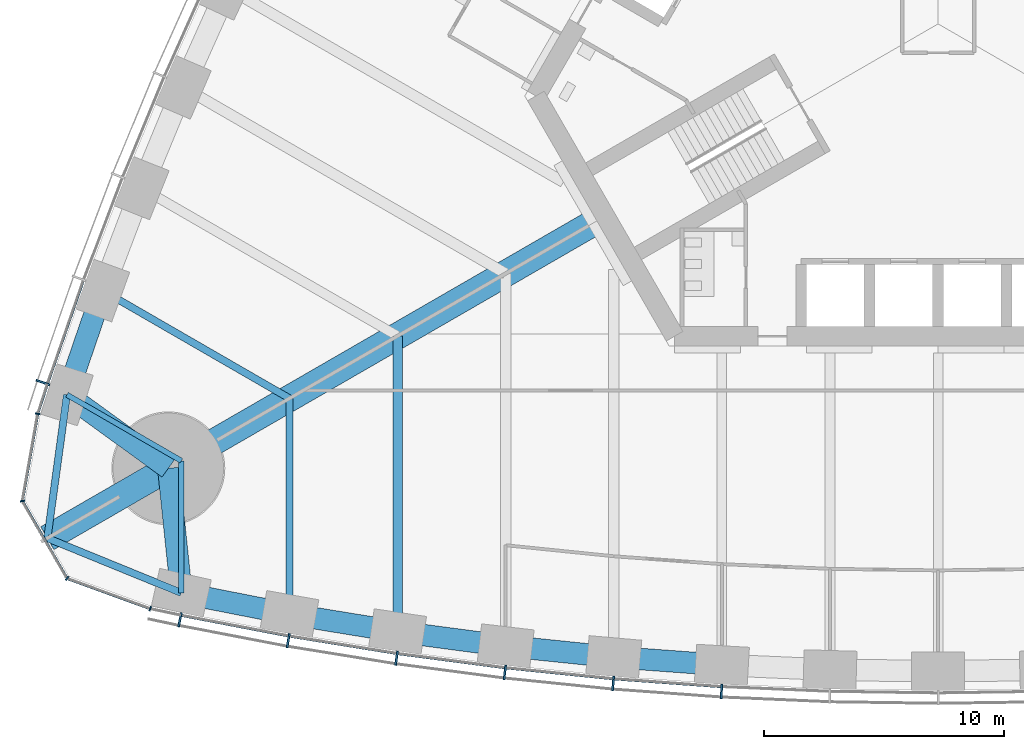
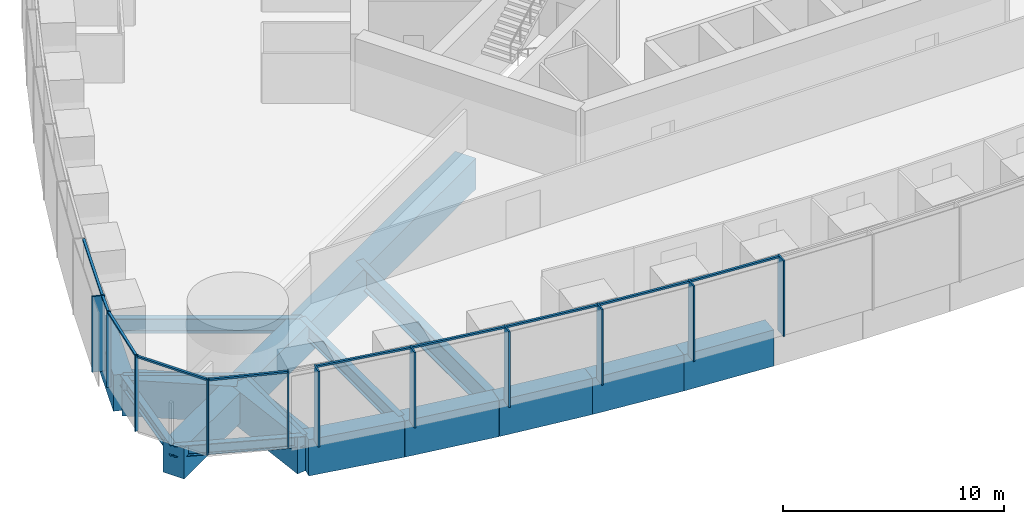
# One storey, part 2 of 18: 21 members, 17 beams, 3 elements without a shape of their own.
"""IFC4 building model written with IfcOpenShell, lengths in metres."""

from ifc_helpers import new_model, si_unit, direction, frame, origin, origin_2d, place, context, subcontext, project, spatial, rectangle, i_section, extrude, material, material_profile, profile_set, type_object, element, aggregate, save


model = new_model("IFC4")

# Units and contexts
model_context = context("Model", 3, precision=1e-05, world=origin(), true_north=direction((0.0, 1.0)))
body_context = subcontext(model_context, "Body", "Model", "MODEL_VIEW")
ifc_project = project(units=[si_unit("LENGTHUNIT", "METRE"), si_unit("AREAUNIT", "SQUARE_METRE"), si_unit("VOLUMEUNIT", "CUBIC_METRE"), si_unit("PLANEANGLEUNIT", "RADIAN"), si_unit("MASSUNIT", "GRAM", prefix="KILO")], contexts=[model_context])

# Site, building, storey
site_placement = place(None, origin())
site = spatial("IfcSite", under=ifc_project, at=site_placement, CompositionType="ELEMENT")
building_placement = place(site_placement, origin())
building = spatial("IfcBuilding", under=site, at=building_placement, Name="Trefoil Bronze Tower", CompositionType="ELEMENT")
storey_placement = place(building_placement, frame((0.0, 0.0, 62.699951171875)))
storey = spatial("IfcBuildingStorey", under=building, at=storey_placement, Name="L14", CompositionType="ELEMENT", Elevation=62.699951171875)

# Curtain wall, members
ifc_material_1 = material(Name="Tinted solar-control glass", Category="glass")
curtain_wall_type_1 = type_object("IfcCurtainWallType", Name="Bronze office curtain wall", PredefinedType="USERDEFINED", material=ifc_material_1)
curtain_wall_1_placement = place(storey_placement, origin())
curtain_wall_1 = element("IfcCurtainWall", 1, at=curtain_wall_1_placement, inside=storey, type_object=curtain_wall_type_1, Name="CW-A L14 F1", ObjectType="CURTAIN WALL", PredefinedType="USERDEFINED")
ifc_material_2 = material(Name="Bronze-finish aluminium", Category="aluminium")
ifc_material_profile_1 = material_profile(ifc_material_2, rectangle(XDim=0.60009765625, YDim=0.080078125, at=origin_2d()), Name="CW-A mullion")
ifc_profile_set_1 = profile_set([ifc_material_profile_1], Name="Bronze-finish aluminium")
member_type_1 = type_object("IfcMemberType", Name="Bronze office curtain wall mullion", PredefinedType="MULLION", material=ifc_profile_set_1)
member_1_placement = place(storey_placement, frame((-31.559326171875, -24.81005859375, 0.0), z_axis=(0.0, 0.0, 1.0), x_axis=(0.197910006829, 0.98022019424, 0.0)))
member_1 = element("IfcMember", 2, at=member_1_placement, type_object=member_type_1, Name="CW-A L14 F1 mullion 2", PredefinedType="MULLION", context=body_context, shape_type="SweptSolid", body=[
    extrude(rectangle(XDim=0.60009765625, YDim=0.080078125, at=origin_2d()), origin(), (0.0, 0.0, 1.0), 4.179931640625),
])
member_2_placement = place(storey_placement, frame((-27.05224609375, -25.67578125, 0.0), z_axis=(0.0, 0.0, 1.0), x_axis=(0.174131146426, 0.984722470468, 0.0)))
member_2 = element("IfcMember", 3, at=member_2_placement, type_object=member_type_1, Name="CW-A L14 F1 mullion 3", PredefinedType="MULLION", context=body_context, shape_type="SweptSolid", body=[
    extrude(rectangle(XDim=0.60009765625, YDim=0.080078125, at=origin_2d()), origin(), (0.0, 0.0, 1.0), 4.179931640625),
])
member_3_placement = place(storey_placement, frame((-22.54345703125, -26.40478515625, 0.0), z_axis=(0.0, 0.0, 1.0), x_axis=(0.145108990094, 0.989415676546, 0.0)))
member_3 = element("IfcMember", 4, at=member_3_placement, type_object=member_type_1, Name="CW-A L14 F1 mullion 4", PredefinedType="MULLION", context=body_context, shape_type="SweptSolid", body=[
    extrude(rectangle(XDim=0.60009765625, YDim=0.080078125, at=origin_2d()), origin(), (0.0, 0.0, 1.0), 4.179931640625),
])
member_4_placement = place(storey_placement, frame((-18.034912109375, -26.99853515625, 0.0), z_axis=(0.0, 0.0, 1.0), x_axis=(0.116086999973, 0.993239048989, 0.0)))
member_4 = element("IfcMember", 5, at=member_4_placement, type_object=member_type_1, Name="CW-A L14 F1 mullion 5", PredefinedType="MULLION", context=body_context, shape_type="SweptSolid", body=[
    extrude(rectangle(XDim=0.60009765625, YDim=0.080078125, at=origin_2d()), origin(), (0.0, 0.0, 1.0), 4.179931640625),
])
member_5_placement = place(storey_placement, frame((-13.526123046875, -27.458984375, 0.0), z_axis=(0.0, 0.0, 1.0), x_axis=(0.087065139456, 0.996202620701, 0.0)))
member_5 = element("IfcMember", 6, at=member_5_placement, type_object=member_type_1, Name="CW-A L14 F1 mullion 6", PredefinedType="MULLION", context=body_context, shape_type="SweptSolid", body=[
    extrude(rectangle(XDim=0.60009765625, YDim=0.080078125, at=origin_2d()), origin(), (0.0, 0.0, 1.0), 4.179931640625),
])
member_6_placement = place(storey_placement, frame((-9.017333984375, -27.786865234375, 0.0), z_axis=(0.0, 0.0, 1.0), x_axis=(0.058043374207, 0.998314062162, 0.0)))
member_6 = element("IfcMember", 7, at=member_6_placement, type_object=member_type_1, Name="CW-A L14 F1 mullion 7", PredefinedType="MULLION", context=body_context, shape_type="SweptSolid", body=[
    extrude(rectangle(XDim=0.60009765625, YDim=0.080078125, at=origin_2d()), origin(), (0.0, 0.0, 1.0), 4.179931640625),
])

# Curtain wall, member
curtain_wall_2_placement = place(storey_placement, origin())
curtain_wall_2 = element("IfcCurtainWall", 8, at=curtain_wall_2_placement, inside=storey, type_object=curtain_wall_type_1, Name="CW-A L14 F3", ObjectType="CURTAIN WALL", PredefinedType="USERDEFINED")
member_7_placement = place(storey_placement, frame((-37.265869140625, -14.92626953125, 0.0), z_axis=(0.0, 0.0, 1.0), x_axis=(0.947850592929, -0.318715003543, 0.0)))
member_7 = element("IfcMember", 9, at=member_7_placement, type_object=member_type_1, Name="CW-A L14 F3 mullion 16", PredefinedType="MULLION", context=body_context, shape_type="SweptSolid", body=[
    extrude(rectangle(XDim=0.60009765625, YDim=0.080078125, at=origin_2d()), origin(), (0.0, 0.0, 1.0), 4.179931640625),
])

# Member
ifc_material_3 = material(Name="Bronze-finish aluminium", Category="aluminium")
ifc_material_profile_2 = material_profile(ifc_material_3, rectangle(XDim=0.1201171875, YDim=0.10009765625, at=origin_2d()), Name="CW-A transom")
ifc_profile_set_2 = profile_set([ifc_material_profile_2], Name="Bronze-finish aluminium")
member_type_2 = type_object("IfcMemberType", Name="Bronze office curtain wall transom", PredefinedType="USERDEFINED", material=ifc_profile_set_2)
member_8_placement = place(storey_placement, frame((-31.4794921875, -24.621826171875, 4.130126953125), z_axis=(0.982053603997, -0.188602011855, 0.0), x_axis=(0.188602011855, 0.982053603997, 0.0)))
member_8 = element("IfcMember", 10, at=member_8_placement, type_object=member_type_2, Name="CW-A L14 F1 transom 2", ObjectType="TRANSOM", PredefinedType="USERDEFINED", context=body_context, shape_type="SweptSolid", body=[
    extrude(rectangle(XDim=0.1201171875, YDim=0.10009765625, at=origin_2d()), origin(), (0.0, 0.0, 1.0), 4.502197265625),
])

member_9_placement = place(storey_placement, frame((-26.9765625, -25.4853515625, 4.130126953125), z_axis=(0.987179401487, -0.159614627398, 0.0), x_axis=(0.159614627398, 0.987179401487, 0.0)))
member_9 = element("IfcMember", 11, at=member_9_placement, type_object=member_type_2, Name="CW-A L14 F1 transom 3", ObjectType="TRANSOM", PredefinedType="USERDEFINED", context=body_context, shape_type="SweptSolid", body=[
    extrude(rectangle(XDim=0.1201171875, YDim=0.10009765625, at=origin_2d()), origin(), (0.0, 0.0, 1.0), 4.478515625),
])

member_10_placement = place(storey_placement, frame((-22.473388671875, -26.212158203125, 4.130126953125), z_axis=(0.991436581643, -0.13058906761, 0.0), x_axis=(0.13058906761, 0.991436581643, 0.0)))
member_10 = element("IfcMember", 12, at=member_10_placement, type_object=member_type_2, Name="CW-A L14 F1 transom 4", ObjectType="TRANSOM", PredefinedType="USERDEFINED", context=body_context, shape_type="SweptSolid", body=[
    extrude(rectangle(XDim=0.1201171875, YDim=0.10009765625, at=origin_2d()), origin(), (0.0, 0.0, 1.0), 4.458740234375),
])

member_11_placement = place(storey_placement, frame((-17.970458984375, -26.80419921875, 4.130126953125), z_axis=(0.994831650915, -0.101538102888, 0.0), x_axis=(0.101538102888, 0.994831650915, 0.0)))
member_11 = element("IfcMember", 13, at=member_11_placement, type_object=member_type_2, Name="CW-A L14 F1 transom 5", ObjectType="TRANSOM", PredefinedType="USERDEFINED", context=body_context, shape_type="SweptSolid", body=[
    extrude(rectangle(XDim=0.1201171875, YDim=0.10009765625, at=origin_2d()), origin(), (0.0, 0.0, 1.0), 4.443359375),
])

member_12_placement = place(storey_placement, frame((-13.46728515625, -27.2626953125, 4.130126953125), z_axis=(0.997364729945, -0.07255064067, 0.0), x_axis=(0.07255064067, 0.997364729945, 0.0)))
member_12 = element("IfcMember", 14, at=member_12_placement, type_object=member_type_2, Name="CW-A L14 F1 transom 6", ObjectType="TRANSOM", PredefinedType="USERDEFINED", context=body_context, shape_type="SweptSolid", body=[
    extrude(rectangle(XDim=0.1201171875, YDim=0.10009765625, at=origin_2d()), origin(), (0.0, 0.0, 1.0), 4.431884765625),
])

aggregate(curtain_wall_1, [member_1, member_2, member_3, member_4, member_5, member_6, member_8, member_9, member_10, member_11, member_12])

member_13_placement = place(storey_placement, frame((-35.587646484375, -10.697509765625, 4.130126953125), z_axis=(-0.327689728493, -0.944785394595, 0.0), x_axis=(0.944785394595, -0.327689728493, 0.0)))
member_13 = element("IfcMember", 15, at=member_13_placement, type_object=member_type_2, Name="CW-A L14 F3 transom 15", ObjectType="TRANSOM", PredefinedType="USERDEFINED", context=body_context, shape_type="SweptSolid", body=[
    extrude(rectangle(XDim=0.1201171875, YDim=0.10009765625, at=origin_2d()), origin(), (0.0, 0.0, 1.0), 4.502197265625),
])

member_14_placement = place(storey_placement, frame((-37.089111328125, -15.02880859375, 4.130126953125), z_axis=(-0.309624219148, -0.950859002648, 0.0), x_axis=(0.950859002648, -0.309624219148, 0.0)))
member_14 = element("IfcMember", 16, at=member_14_placement, type_object=member_type_2, Name="CW-A L14 F3 transom 16", ObjectType="TRANSOM", PredefinedType="USERDEFINED", context=body_context, shape_type="SweptSolid", body=[
    extrude(rectangle(XDim=0.1201171875, YDim=0.10009765625, at=origin_2d()), origin(), (0.0, 0.0, 1.0), 1.21044921875),
])

aggregate(curtain_wall_2, [member_7, member_13, member_14])

# Curtain wall, members
ifc_material_4 = material(Name="Tinted solar-control glass", Category="glass")
curtain_wall_type_2 = type_object("IfcCurtainWallType", Name="Bronze rounded corner curtain wall", PredefinedType="USERDEFINED", material=ifc_material_4)
curtain_wall_3_placement = place(storey_placement, origin())
curtain_wall_3 = element("IfcCurtainWall", 17, at=curtain_wall_3_placement, inside=storey, type_object=curtain_wall_type_2, Name="CW-B L14 K3", ObjectType="CURTAIN WALL", PredefinedType="USERDEFINED")
ifc_material_5 = material(Name="Bronze-finish aluminium", Category="aluminium")
ifc_material_profile_3 = material_profile(ifc_material_5, rectangle(XDim=0.199951171875, YDim=0.06005859375, at=origin_2d()), Name="CW-B mullion")
ifc_profile_set_3 = profile_set([ifc_material_profile_3], Name="Bronze-finish aluminium")
member_type_3 = type_object("IfcMemberType", Name="Bronze rounded corner curtain wall mullion", PredefinedType="MULLION", material=ifc_profile_set_3)
member_15_placement = place(storey_placement, frame((-37.479736328125, -16.2314453125, 0.0), z_axis=(0.0, 0.0, 1.0), x_axis=(0.984807753012, -0.173648177667, 0.0)))
member_15 = element("IfcMember", 18, at=member_15_placement, type_object=member_type_3, Name="CW-B L14 K3 mullion 1", PredefinedType="MULLION", context=body_context, shape_type="SweptSolid", body=[
    extrude(rectangle(XDim=0.199951171875, YDim=0.06005859375, at=origin_2d()), origin(), (0.0, 0.0, 1.0), 4.179931640625),
])
member_16_placement = place(storey_placement, frame((-38.11328125, -19.85888671875, 0.0), z_axis=(0.0, 0.0, 1.0), x_axis=(0.984807753012, 0.173648177667, 0.0)))
member_16 = element("IfcMember", 19, at=member_16_placement, type_object=member_type_3, Name="CW-B L14 K3 mullion 2", PredefinedType="MULLION", context=body_context, shape_type="SweptSolid", body=[
    extrude(rectangle(XDim=0.199951171875, YDim=0.06005859375, at=origin_2d()), origin(), (0.0, 0.0, 1.0), 4.179931640625),
])
member_17_placement = place(storey_placement, frame((-36.2548828125, -23.07763671875, 0.0), z_axis=(0.0, 0.0, 1.0), x_axis=(0.642787609687, 0.766044443119, 0.0)))
member_17 = element("IfcMember", 20, at=member_17_placement, type_object=member_type_3, Name="CW-B L14 K3 mullion 3", PredefinedType="MULLION", context=body_context, shape_type="SweptSolid", body=[
    extrude(rectangle(XDim=0.199951171875, YDim=0.06005859375, at=origin_2d()), origin(), (0.0, 0.0, 1.0), 4.179931640625),
])
member_18_placement = place(storey_placement, frame((-32.796630859375, -24.3427734375, 0.0), z_axis=(0.0, 0.0, 1.0), x_axis=(0.342020143326, 0.939692620786, 0.0)))
member_18 = element("IfcMember", 21, at=member_18_placement, type_object=member_type_3, Name="CW-B L14 K3 mullion 4", PredefinedType="MULLION", context=body_context, shape_type="SweptSolid", body=[
    extrude(rectangle(XDim=0.199951171875, YDim=0.06005859375, at=origin_2d()), origin(), (0.0, 0.0, 1.0), 4.179931640625),
])
ifc_material_6 = material(Name="Bronze-finish aluminium", Category="aluminium")
ifc_material_profile_4 = material_profile(ifc_material_6, rectangle(XDim=0.1201171875, YDim=0.10009765625, at=origin_2d()), Name="CW-B transom")
ifc_profile_set_4 = profile_set([ifc_material_profile_4], Name="Bronze-finish aluminium")
member_type_4 = type_object("IfcMemberType", Name="Bronze rounded corner curtain wall transom", PredefinedType="USERDEFINED", material=ifc_profile_set_4)
member_19_placement = place(storey_placement, frame((-37.48486328125, -16.260986328125, 4.130126953125), z_axis=(-0.17363783606, -0.984809576461, 0.0), x_axis=(0.984809576461, -0.17363783606, 0.0)))
member_19 = element("IfcMember", 22, at=member_19_placement, type_object=member_type_4, Name="CW-B L14 K3 transom 1", ObjectType="TRANSOM", PredefinedType="USERDEFINED", context=body_context, shape_type="SweptSolid", body=[
    extrude(rectangle(XDim=0.1201171875, YDim=0.10009765625, at=origin_2d()), origin(), (0.0, 0.0, 1.0), 3.588134765625),
])
member_20_placement = place(storey_placement, frame((-38.08642578125, -19.91748046875, 4.130126953125), z_axis=(0.500024788772, -0.866011091507, 0.0), x_axis=(0.866011091507, 0.500024788772, 0.0)))
member_20 = element("IfcMember", 23, at=member_20_placement, type_object=member_type_4, Name="CW-B L14 K3 transom 2", ObjectType="TRANSOM", PredefinedType="USERDEFINED", context=body_context, shape_type="SweptSolid", body=[
    extrude(rectangle(XDim=0.1201171875, YDim=0.10009765625, at=origin_2d()), origin(), (0.0, 0.0, 1.0), 3.588134765625),
])
member_21_placement = place(storey_placement, frame((-36.196533203125, -23.105224609375, 4.130126953125), z_axis=(0.939688092095, -0.342032585545, 0.0), x_axis=(0.342032585545, 0.939688092095, 0.0)))
member_21 = element("IfcMember", 24, at=member_21_placement, type_object=member_type_4, Name="CW-B L14 K3 transom 3", ObjectType="TRANSOM", PredefinedType="USERDEFINED", context=body_context, shape_type="SweptSolid", body=[
    extrude(rectangle(XDim=0.1201171875, YDim=0.10009765625, at=origin_2d()), origin(), (0.0, 0.0, 1.0), 3.588134765625),
])
aggregate(curtain_wall_3, [member_15, member_16, member_17, member_18, member_19, member_20, member_21])

# Beams
ifc_material_7 = material(Name="Concrete B80", Category="concrete")
ifc_material_profile_5 = material_profile(ifc_material_7, rectangle(XDim=1.10009765625, YDim=1.699951171875, at=origin_2d()), Name="RC 1100x1700")
ifc_profile_set_5 = profile_set([ifc_material_profile_5], Name="Concrete B80")
beam_type_1 = type_object("IfcBeamType", Name="Corner cantilever RC 1100x1700", PredefinedType="BEAM", material=ifc_profile_set_5)
beam_1_placement = place(storey_placement, frame((-32.04296875, -18.5, -1.050048828125), z_axis=(-0.866030348588, -0.499991435252, 0.0), x_axis=(0.499991435252, -0.866030348588, 0.0)))
element("IfcBeam", 25, at=beam_1_placement, inside=storey, type_object=beam_type_1, Name="Corner cantilever K3 L14", PredefinedType="BEAM", context=body_context, shape_type="SweptSolid", body=[
    extrude(rectangle(XDim=1.10009765625, YDim=1.699951171875, at=origin_2d()), origin(), (0.0, 0.0, 1.0), 5.81396484375),
])
ifc_material_8 = material(Name="Steel C355", Category="steel")
ifc_material_profile_6 = material_profile(ifc_material_8, i_section(OverallWidth=0.300048828125, OverallDepth=0.60009765625, WebThickness=0.015380859375, FlangeThickness=0.030029296875, FilletRadius=0.027099609375, at=origin_2d()), Name="HEB 600")
ifc_profile_set_6 = profile_set([ifc_material_profile_6], Name="Steel C355")
beam_type_2 = type_object("IfcBeamType", Name="Corner edge beam HEB 600", PredefinedType="BEAM", material=ifc_profile_set_6)
beam_2_placement = place(storey_placement, frame((-31.5, -23.684814453125, -0.5), z_axis=(-0.925786874353, 0.378045848114, 0.0), x_axis=(-0.378045848114, -0.925786874353, 0.0)))
element("IfcBeam", 26, at=beam_2_placement, inside=storey, type_object=beam_type_2, Name="Corner edge beam F1B L14", PredefinedType="BEAM", context=body_context, shape_type="SweptSolid", body=[
    extrude(i_section(OverallWidth=0.300048828125, OverallDepth=0.60009765625, WebThickness=0.015380859375, FlangeThickness=0.030029296875, FilletRadius=0.027099609375, at=origin_2d()), origin(), (0.0, 0.0, 1.0), 6.025390625),
])
beam_3_placement = place(storey_placement, frame((-36.26171875, -15.4375, -0.5), z_axis=(-0.13550196505, -0.990777077585, 0.0), x_axis=(0.990777077585, -0.13550196505, 0.0)))
element("IfcBeam", 27, at=beam_3_placement, inside=storey, type_object=beam_type_2, Name="Corner edge beam F3A L14", PredefinedType="BEAM", context=body_context, shape_type="SweptSolid", body=[
    extrude(i_section(OverallWidth=0.300048828125, OverallDepth=0.60009765625, WebThickness=0.015380859375, FlangeThickness=0.030029296875, FilletRadius=0.027099609375, at=origin_2d()), origin(), (0.0, 0.0, 1.0), 6.025146484375),
])
ifc_material_9 = material(Name="Concrete B80", Category="concrete")
ifc_material_profile_7 = material_profile(ifc_material_9, rectangle(XDim=1.10009765625, YDim=1.699951171875, at=origin_2d()), Name="RC 1100x1700")
ifc_profile_set_7 = profile_set([ifc_material_profile_7], Name="Concrete B80")
beam_type_3 = type_object("IfcBeamType", Name="Corner girder RC 1100x1700", PredefinedType="BEAM", material=ifc_profile_set_7)
beam_4_placement = place(storey_placement, frame((-14.202880859375, -8.199951171875, -1.050048828125), z_axis=(-0.866023947468, -0.500002522405, 0.0), x_axis=(0.500002522405, -0.866023947468, 0.0)))
element("IfcBeam", 28, at=beam_4_placement, inside=storey, type_object=beam_type_3, Name="Corner girder K3 L14", PredefinedType="BEAM", context=body_context, shape_type="SweptSolid", body=[
    extrude(rectangle(XDim=1.10009765625, YDim=1.699951171875, at=origin_2d()), origin(), (0.0, 0.0, 1.0), 20.60009765625),
])
ifc_material_10 = material(Name="Concrete B80", Category="concrete")
ifc_material_profile_8 = material_profile(ifc_material_10, rectangle(XDim=0.89990234375, YDim=2.0, at=origin_2d()), Name="RC 900x2000")
ifc_profile_set_8 = profile_set([ifc_material_profile_8], Name="Concrete B80")
beam_type_4 = type_object("IfcBeamType", Name="End spandrel beam RC 900x2000", PredefinedType="SPANDREL", material=ifc_profile_set_8)
for number, where, z_axis, x_axis, name in (
    (29, (-32.04296875, -18.5, -1.199951171875), (0.104153327908, -0.994561252154, 0.0), (0.994561252154, 0.104153327908, 0.0), "Spandrel F1.1 L14"),
    (30, (-36.26171875, -15.4375, -1.199951171875), (0.809254211267, -0.587458612624, 0.0), (0.587458612624, 0.809254211267, 0.0), "Spandrel F3.16 L14"),
):
    element("IfcBeam", number, at=place(storey_placement, frame(where, z_axis=z_axis, x_axis=x_axis)), inside=storey, type_object=beam_type_4, Name=name, PredefinedType="SPANDREL", context=body_context, shape_type="SweptSolid", body=[
        extrude(rectangle(XDim=0.89990234375, YDim=2.0, at=origin_2d()), origin(), (0.0, 0.0, 1.0), 5.213134765625),
    ])
ifc_material_11 = material(Name="Steel C355", Category="steel")
ifc_material_profile_9 = material_profile(ifc_material_11, i_section(OverallWidth=0.300048828125, OverallDepth=0.800048828125, WebThickness=0.017578125, FlangeThickness=0.032958984375, FilletRadius=0.030029296875, at=origin_2d()), Name="HEB 800")
ifc_profile_set_9 = profile_set([ifc_material_profile_9], Name="Steel C355")
beam_type_5 = type_object("IfcBeamType", Name="Floor beam HEB 800", PredefinedType="BEAM", material=ifc_profile_set_9)
for number, where, z_axis, x_axis, name in (
    (31, (-27.0, -24.56787109375, -0.599853515625), (0.0, 1.0, 0.0), (-1.0, 0.0, 0.0), "Floor beam F1/-6 L14"),
    (32, (-34.7763671875, -11.0986328125, -0.599853515625), (0.866022587327, -0.500004878216, 0.0), (0.500004878216, 0.866022587327, 0.0), "Floor beam F3/+6 L14"),
):
    element("IfcBeam", number, at=place(storey_placement, frame(where, z_axis=z_axis, x_axis=x_axis)), inside=storey, type_object=beam_type_5, Name=name, PredefinedType="BEAM", context=body_context, shape_type="SweptSolid", body=[
        extrude(i_section(OverallWidth=0.300048828125, OverallDepth=0.800048828125, WebThickness=0.017578125, FlangeThickness=0.032958984375, FilletRadius=0.030029296875, at=origin_2d()), origin(), (0.0, 0.0, 1.0), 8.9794921875),
    ])
ifc_material_12 = material(Name="Steel C355", Category="steel")
ifc_material_profile_10 = material_profile(ifc_material_12, i_section(OverallWidth=0.219970703125, OverallDepth=0.60009765625, WebThickness=0.011962890625, FlangeThickness=0.01904296875, FilletRadius=0.02392578125, at=origin_2d()), Name="IPE 600")
ifc_profile_set_10 = profile_set([ifc_material_profile_10], Name="Steel C355")
beam_type_6 = type_object("IfcBeamType", Name="Floor beam IPE 600", PredefinedType="BEAM", material=ifc_profile_set_10)
for number, where, z_axis, x_axis, name in (
    (33, (-31.5, -23.684814453125, -0.5), (0.0, 1.0, 0.0), (-1.0, 0.0, 0.0), "Floor beam F1/-7 L14"),
    (34, (-36.26171875, -15.4375, -0.5), (0.866037702141, -0.499978698016, 0.0), (0.499978698016, 0.866037702141, 0.0), "Floor beam F3/+7 L14"),
):
    element("IfcBeam", number, at=place(storey_placement, frame(where, z_axis=z_axis, x_axis=x_axis)), inside=storey, type_object=beam_type_6, Name=name, PredefinedType="BEAM", context=body_context, shape_type="SweptSolid", body=[
        extrude(i_section(OverallWidth=0.219970703125, OverallDepth=0.60009765625, WebThickness=0.011962890625, FlangeThickness=0.01904296875, FilletRadius=0.02392578125, at=origin_2d()), origin(), (0.0, 0.0, 1.0), 5.498291015625),
    ])
ifc_material_13 = material(Name="Steel C355", Category="steel")
ifc_material_profile_11 = material_profile(ifc_material_13, i_section(OverallWidth=0.39990234375, OverallDepth=1.199951171875, WebThickness=0.02001953125, FlangeThickness=0.0400390625, FilletRadius=0.010009765625, at=origin_2d()), Name="WPG 1200")
ifc_profile_set_11 = profile_set([ifc_material_profile_11], Name="Steel C355")
beam_type_7 = type_object("IfcBeamType", Name="Floor beam WPG 1200", PredefinedType="BEAM", material=ifc_profile_set_11)
beam_5_placement = place(storey_placement, frame((-22.5, -25.29931640625, -0.800048828125), z_axis=(0.0, 1.0, 0.0), x_axis=(-1.0, 0.0, 0.0)))
element("IfcBeam", 35, at=beam_5_placement, inside=storey, type_object=beam_type_7, Name="Floor beam F1/-5 L14", PredefinedType="BEAM", context=body_context, shape_type="SweptSolid", body=[
    extrude(i_section(OverallWidth=0.39990234375, OverallDepth=1.199951171875, WebThickness=0.02001953125, FlangeThickness=0.0400390625, FilletRadius=0.010009765625, at=origin_2d()), origin(), (0.0, 0.0, 1.0), 12.308837890625),
])
ifc_material_14 = material(Name="Concrete B80", Category="concrete")
ifc_material_profile_12 = material_profile(ifc_material_14, rectangle(XDim=0.89990234375, YDim=2.0, at=origin_2d()), Name="RC 900x2000")
ifc_profile_set_12 = profile_set([ifc_material_profile_12], Name="Concrete B80")
beam_type_8 = type_object("IfcBeamType", Name="Spandrel beam RC 900x2000", PredefinedType="SPANDREL", material=ifc_profile_set_12)
beam_6_placement = place(storey_placement, frame((-31.5, -23.684814453125, -1.199951171875), z_axis=(0.981284764092, -0.192562228283, 0.0), x_axis=(0.192562228283, 0.981284764092, 0.0)))
element("IfcBeam", 36, at=beam_6_placement, inside=storey, type_object=beam_type_8, Name="Spandrel F1.2 L14", PredefinedType="SPANDREL", context=body_context, shape_type="SweptSolid", body=[
    extrude(rectangle(XDim=0.89990234375, YDim=2.0, at=origin_2d()), origin(), (0.0, 0.0, 1.0), 4.5859375),
])
beam_7_placement = place(storey_placement, frame((-27.0, -24.56787109375, -1.199951171875), z_axis=(0.987045951254, -0.160437807615, 0.0), x_axis=(0.160437807615, 0.987045951254, 0.0)))
element("IfcBeam", 37, at=beam_7_placement, inside=storey, type_object=beam_type_8, Name="Spandrel F1.3 L14", PredefinedType="SPANDREL", context=body_context, shape_type="SweptSolid", body=[
    extrude(rectangle(XDim=0.89990234375, YDim=2.0, at=origin_2d()), origin(), (0.0, 0.0, 1.0), 4.55908203125),
])
beam_8_placement = place(storey_placement, frame((-22.5, -25.29931640625, -1.199951171875), z_axis=(0.991344474846, -0.131286450906, 0.0), x_axis=(0.131286450906, 0.991344474846, 0.0)))
element("IfcBeam", 38, at=beam_8_placement, inside=storey, type_object=beam_type_8, Name="Spandrel F1.4 L14", PredefinedType="SPANDREL", context=body_context, shape_type="SweptSolid", body=[
    extrude(rectangle(XDim=0.89990234375, YDim=2.0, at=origin_2d()), origin(), (0.0, 0.0, 1.0), 4.539306640625),
])
beam_9_placement = place(storey_placement, frame((-18.0, -25.895263671875, -1.199951171875), z_axis=(0.994778488621, -0.102057623805, 0.0), x_axis=(0.102057623805, 0.994778488621, 0.0)))
element("IfcBeam", 39, at=beam_9_placement, inside=storey, type_object=beam_type_8, Name="Spandrel F1.5 L14", PredefinedType="SPANDREL", context=body_context, shape_type="SweptSolid", body=[
    extrude(rectangle(XDim=0.89990234375, YDim=2.0, at=origin_2d()), origin(), (0.0, 0.0, 1.0), 4.523681640625),
])
beam_10_placement = place(storey_placement, frame((-13.5, -26.35693359375, -1.199951171875), z_axis=(0.997336412354, -0.072938882588, 0.0), x_axis=(0.072938882588, 0.997336412354, 0.0)))
element("IfcBeam", 40, at=beam_10_placement, inside=storey, type_object=beam_type_8, Name="Spandrel F1.6 L14", PredefinedType="SPANDREL", context=body_context, shape_type="SweptSolid", body=[
    extrude(rectangle(XDim=0.89990234375, YDim=2.0, at=origin_2d()), origin(), (0.0, 0.0, 1.0), 4.511962890625),
])
beam_11_placement = place(storey_placement, frame((-34.7763671875, -11.0986328125, -1.199951171875), z_axis=(-0.323883319148, -0.946097032855, 0.0), x_axis=(0.946097032855, -0.323883319148, 0.0)))
element("IfcBeam", 41, at=beam_11_placement, inside=storey, type_object=beam_type_8, Name="Spandrel F3.15 L14", PredefinedType="SPANDREL", context=body_context, shape_type="SweptSolid", body=[
    extrude(rectangle(XDim=0.89990234375, YDim=2.0, at=origin_2d()), origin(), (0.0, 0.0, 1.0), 4.586181640625),
])

save(model, "model.ifc")
